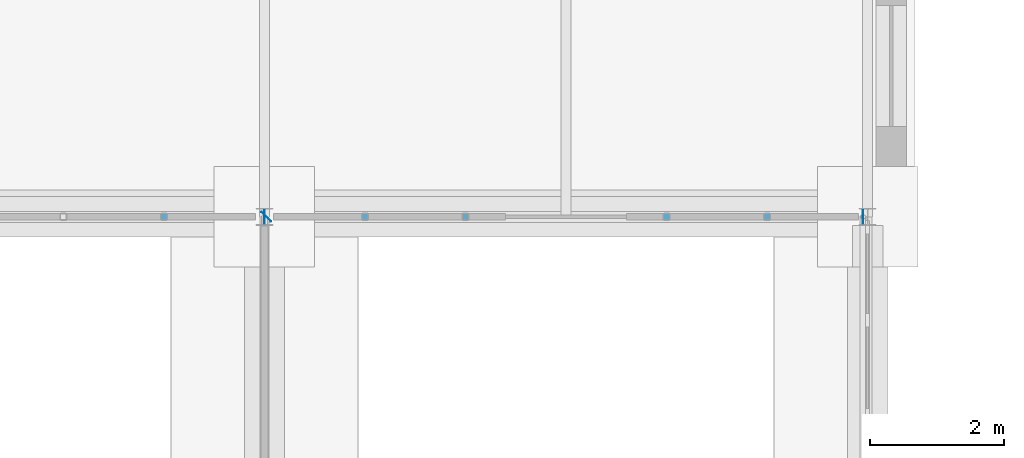
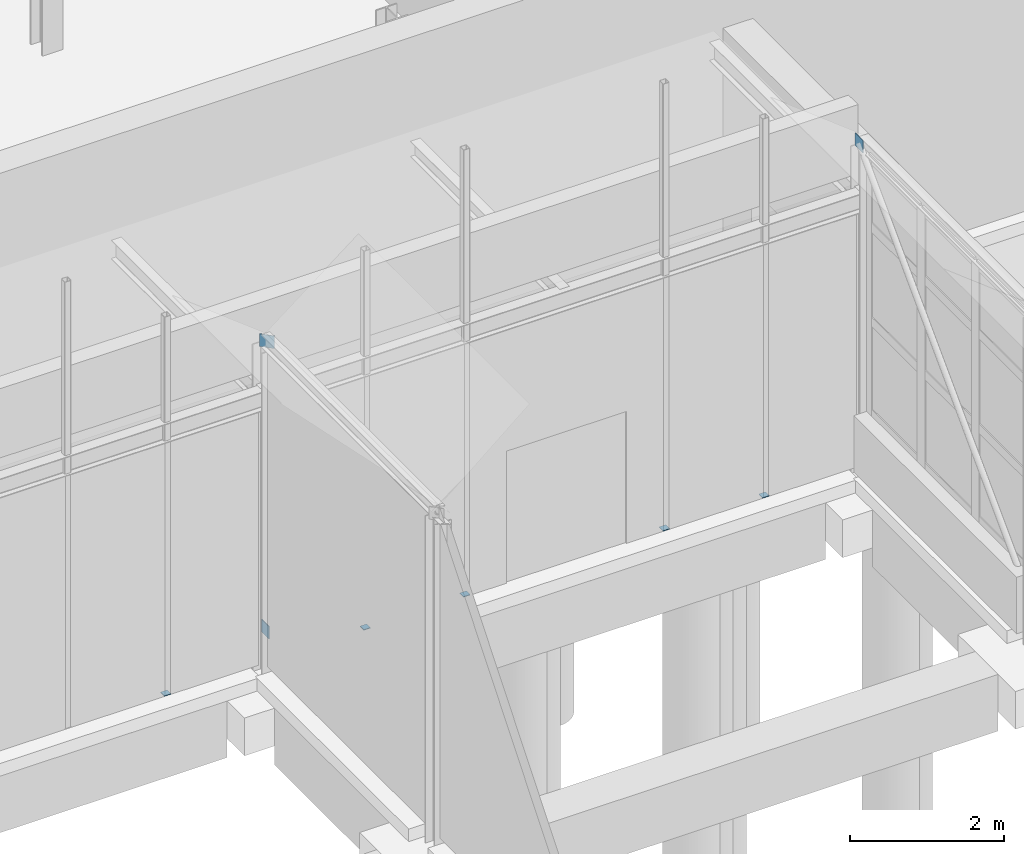
# One storey, part 88 of 106: 8 discrete accessories.
"""IFC4 building model written with IfcOpenShell, lengths in metres."""

from ifc_helpers import new_model, si_unit, direction, frame, origin, origin_2d, place, context, subcontext, project, spatial, rectangle, extrude, material, type_object, element, save


model = new_model("IFC4")

# Units and contexts
model_context = context("Model", 3, precision=1e-05, world=origin(), true_north=direction((0.0, 1.0)))
body_context = subcontext(model_context, "Body", "Model", "MODEL_VIEW")
ifc_project = project(units=[si_unit("LENGTHUNIT", "METRE"), si_unit("AREAUNIT", "SQUARE_METRE"), si_unit("VOLUMEUNIT", "CUBIC_METRE"), si_unit("PLANEANGLEUNIT", "RADIAN"), si_unit("MASSUNIT", "GRAM", prefix="KILO")], contexts=[model_context])

# Site, building, storey
site_placement = place(None, origin())
site = spatial("IfcSite", under=ifc_project, at=site_placement, CompositionType="ELEMENT")
building_placement = place(site_placement, origin())
building = spatial("IfcBuilding", under=site, at=building_placement, Name="Hortulan Conservatory and Botanical Research Centre", CompositionType="ELEMENT")
storey_placement = place(building_placement, origin())
storey = spatial("IfcBuildingStorey", under=building, at=storey_placement, Name="L00", CompositionType="ELEMENT", Elevation=0.0)

# Discrete accessories
ifc_material = material(Name="Steel Grade 300 plate (AS/NZS 3678, 280 MPa minimum yield)", Category="steel")
discrete_accessory_type_1 = type_object("IfcDiscreteAccessoryType", Name="End Plate 100x10", PredefinedType="BRACKET", material=ifc_material)
for number, where, z_axis, x_axis, name in (
    (1, (93.0, 31.5, 0.0), (0.0, 0.0, 1.0), (1.0, 0.0, 0.0), "Arid Glasshouse gable post base plate N 7.5"),
    (2, (96.0, 31.5, 0.0), (0.0, 0.0, 1.0), (1.0, 0.0, 0.0), "Propagation and Quarantine Glasshouse gable post base plate N 1.5"),
    (3, (97.5, 31.5, 0.0), (0.0, 0.0, 1.0), (1.0, 0.0, 0.0), "Propagation and Quarantine Glasshouse gable post base plate N 3"),
    (4, (100.5, 31.5, 0.0), (0.0, 0.0, 1.0), (1.0, 0.0, 0.0), "Propagation and Quarantine Glasshouse gable post base plate N 6"),
    (5, (102.0, 31.5, 0.0), (0.0, 0.0, 1.0), (1.0, 0.0, 0.0), "Propagation and Quarantine Glasshouse gable post base plate N 7.5"),
):
    element("IfcDiscreteAccessory", number, at=place(storey_placement, frame(where, z_axis=z_axis, x_axis=x_axis)), inside=storey, type_object=discrete_accessory_type_1, Name=name, PredefinedType="BRACKET", context=body_context, shape_type="SweptSolid", body=[
        extrude(rectangle(XDim=0.10009765625, YDim=0.10009765625, at=origin_2d()), origin(), (0.0, 0.0, 1.0), 0.010009765625),
    ])
discrete_accessory_type_2 = type_object("IfcDiscreteAccessoryType", Name="End Plate 200x10", PredefinedType="BRACKET", material=ifc_material)
for number, where, z_axis, x_axis, name in (
    (6, (94.5, 31.5, 0.39990234375), (0.0, 0.0, 1.0), (0.0, -1.0, 0.0), "Brace end plate"),
    (7, (94.5234375, 31.5, 4.97119140625), (0.0, 0.0, 1.0), (0.707106781187, -0.707106781187, 0.0), "Brace end plate"),
    (8, (103.431640625, 31.5, 5.00341796875), (0.0, 0.0, 1.0), (0.0, -1.0, 0.0), "Brace end plate"),
):
    element("IfcDiscreteAccessory", number, at=place(storey_placement, frame(where, z_axis=z_axis, x_axis=x_axis)), inside=storey, type_object=discrete_accessory_type_2, Name=name, PredefinedType="BRACKET", context=body_context, shape_type="SweptSolid", body=[
        extrude(rectangle(XDim=0.199951171875, YDim=0.010009765625, at=origin_2d()), origin(), (0.0, 0.0, 1.0), 0.199951171875),
    ])

save(model, "model.ifc")
